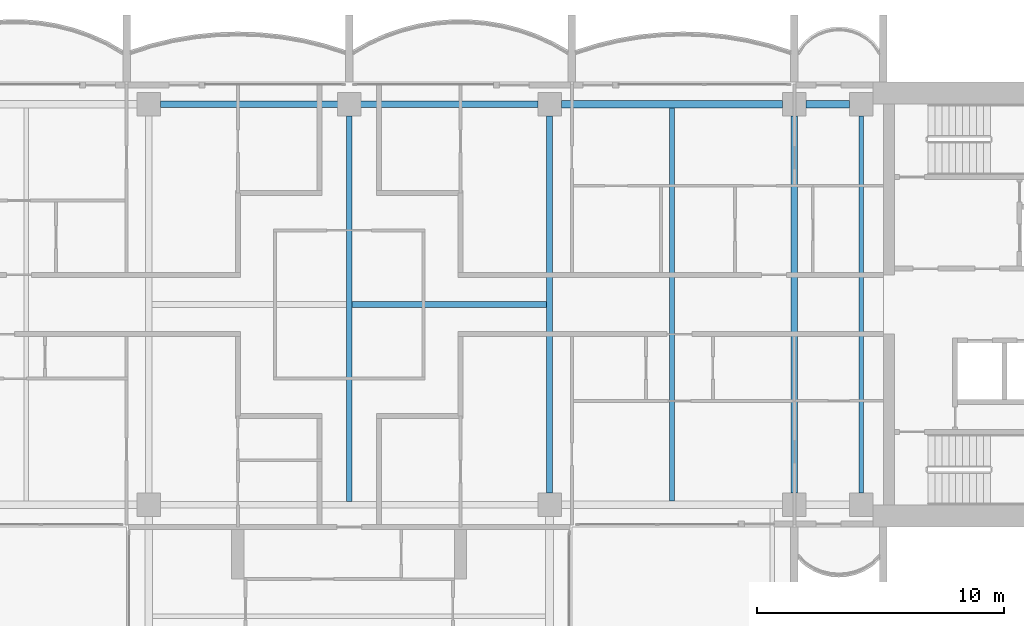
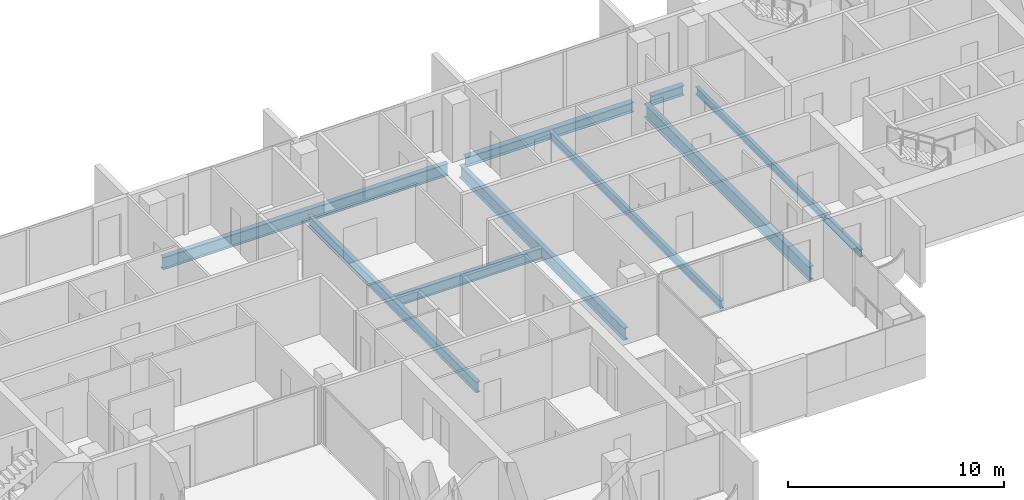
# One storey, part 4 of 17: 9 beams.
"""IFC4 building model written with IfcOpenShell, lengths in metres."""

import ifcopenshell
import ifcopenshell.guid

model = None  # the IFC model being written
_history = None  # IfcOwnerHistory: only IFC2X3 demands one
_inside = {}  # id of a spatial element -> (the spatial element, [elements in it])
_under = {}  # id of a project, library or spatial element -> (it, [spatial elements below it])
_declared = {}  # id of a project -> (the project, [libraries it declares])
_typed = {}  # id of a type object -> (the type object, [elements of that type])
_made_of = {}  # id of a material, layer set ... -> (it, [elements and type objects made of it])


def new_model(schema):
    """Start an empty IFC model of exactly this schema.

    Asked for "IFC4X3", IfcOpenShell would pick the latest addendum, in which some entities
    have other attributes; the version numbers below select the first issue.
    IFC2X3 requires an IfcOwnerHistory on every rooted entity: one is made here for all.
    """
    global model, _history
    if schema == "IFC4X3":
        model = ifcopenshell.file(schema_version=(4, 3, 0, 0))
    else:
        model = ifcopenshell.file(schema=schema)
    _inside.clear()
    _under.clear()
    _declared.clear()
    _typed.clear()
    _made_of.clear()
    _history = None
    if model.schema == "IFC2X3":
        org = make("IfcOrganization", Name="unknown")
        user = make(
            "IfcPersonAndOrganization",
            ThePerson=make("IfcPerson", FamilyName="unknown"),
            TheOrganization=org,
        )
        app = make(
            "IfcApplication",
            ApplicationDeveloper=org,
            Version="unknown",
            ApplicationFullName="unknown",
            ApplicationIdentifier="unknown",
        )
        _history = make(
            "IfcOwnerHistory",
            OwningUser=user,
            OwningApplication=app,
            ChangeAction="ADDED",
            CreationDate=0,
        )
    return model


def make(cls, **values):
    """One entity of the class cls with the attributes given. An attribute that is None is left unset."""
    return model.create_entity(
        cls, **{name: value for name, value in values.items() if value is not None}
    )


def rooted(cls, **values):
    """An entity with a GlobalId (a new one), such as an element, a storey or a relation."""
    return make(cls, GlobalId=ifcopenshell.guid.new(), OwnerHistory=_history, **values)


def si_unit(unit_type, name, prefix=None):
    """IfcSIUnit, for example si_unit("LENGTHUNIT", "METRE", prefix="MILLI")."""
    return make("IfcSIUnit", UnitType=unit_type, Prefix=prefix, Name=name)


def assignment(units):
    """IfcUnitAssignment: the units of a project."""
    return None if units is None else make("IfcUnitAssignment", Units=units)


def point(xyz):
    """IfcCartesianPoint."""
    return None if xyz is None else make("IfcCartesianPoint", Coordinates=xyz)


def direction(xyz):
    """IfcDirection."""
    return None if xyz is None else make("IfcDirection", DirectionRatios=xyz)


def frame(location, z_axis=None, x_axis=None):
    """IfcAxis2Placement3D, a coordinate frame: its origin and axes. An axis left out is left unset."""
    return make(
        "IfcAxis2Placement3D",
        Location=point(location),
        Axis=direction(z_axis),
        RefDirection=direction(x_axis),
    )


def frame_2d(location, x_axis=None):
    """IfcAxis2Placement2D, a coordinate frame in the plane: its origin and x axis."""
    return make(
        "IfcAxis2Placement2D", Location=point(location), RefDirection=direction(x_axis)
    )


def origin():
    """The frame at (0, 0, 0) with its axes left unset."""
    return frame((0.0, 0.0, 0.0))


def origin_2d():
    """The frame at (0, 0) in the plane with its x axis left unset."""
    return frame_2d((0.0, 0.0))


def place(relative_to, where):
    """IfcLocalPlacement: puts the frame where relative to a parent placement (None: the world)."""
    return make(
        "IfcLocalPlacement", PlacementRelTo=relative_to, RelativePlacement=where
    )


def context(
    kind, dimensions, precision=None, world=None, true_north=None, identifier=None
):
    """IfcGeometricRepresentationContext, for example the 3D "Model" context."""
    return make(
        "IfcGeometricRepresentationContext",
        ContextIdentifier=identifier,
        ContextType=kind,
        CoordinateSpaceDimension=dimensions,
        Precision=precision,
        WorldCoordinateSystem=world,
        TrueNorth=true_north,
    )


def subcontext(parent, identifier, kind, view, scale=None):
    """IfcGeometricRepresentationSubContext, for example "Body" below "Model"."""
    return make(
        "IfcGeometricRepresentationSubContext",
        ContextIdentifier=identifier,
        ContextType=kind,
        ParentContext=parent,
        TargetScale=scale,
        TargetView=view,
    )


def project(units=None, contexts=None):
    """IfcProject with its units and contexts."""
    return rooted(
        "IfcProject",
        Name="project",
        RepresentationContexts=contexts,
        UnitsInContext=assignment(units),
    )


def spatial(cls, under=None, at=None, **own):
    """A site, building, storey or space (cls), placed at a placement, below another one or the project."""
    s = rooted(cls, ObjectPlacement=at, **own)
    if under is not None:
        _under.setdefault(under.id(), (under, []))[1].append(s)
    return s


def profile(cls, at=None, kind="AREA", **sizes):
    """A parametric profile (cls). Its sizes go by their IFC names, for example OverallWidth=200.0."""
    return make(cls, ProfileType=kind, Position=at, **sizes)


def i_section(**sizes):
    """IfcIShapeProfileDef."""
    return profile("IfcIShapeProfileDef", **sizes)


def extrude(swept, where, along, depth):
    """IfcExtrudedAreaSolid: the profile swept, set in the frame where, extruded along a direction by depth."""
    return make(
        "IfcExtrudedAreaSolid",
        SweptArea=swept,
        Position=where,
        ExtrudedDirection=direction(along),
        Depth=depth,
    )


def shape(context_of_items, identifier, shape_type, items):
    """IfcShapeRepresentation: the items that make up one representation, for example the "Body"."""
    return make(
        "IfcShapeRepresentation",
        ContextOfItems=context_of_items,
        RepresentationIdentifier=identifier,
        RepresentationType=shape_type,
        Items=items,
    )


def material(Name=None, Category=None):
    """IfcMaterial."""
    return make("IfcMaterial", Name=Name, Category=Category)


def material_profile(
    of_material, cross_section, Name=None, Category=None, Priority=None
):
    """IfcMaterialProfile: a cross section and its material."""
    return make(
        "IfcMaterialProfile",
        Name=Name,
        Material=of_material,
        Profile=cross_section,
        Priority=Priority,
        Category=Category,
    )


def profile_set(profiles, Name=None, composite=None):
    """IfcMaterialProfileSet."""
    return make(
        "IfcMaterialProfileSet",
        Name=Name,
        MaterialProfiles=profiles,
        CompositeProfile=composite,
    )


def made_of(thing, what):
    """Note that an element or type object is made of a material, layer set ...; save() writes the relation."""
    if what is not None:
        _made_of.setdefault(what.id(), (what, []))[1].append(thing)
    return thing


def type_object(cls, material=None, **own):
    """A type object (cls), such as IfcWallType, which elements share."""
    return made_of(rooted(cls, **own), material)


def element(
    cls,
    number,
    at=None,
    inside=None,
    cuts=None,
    type_object=None,
    material=None,
    context=None,
    identifier="Body",
    shape_type=None,
    held_by="IfcProductDefinitionShape",
    body=None,
    shapes=None,
    **own,
):
    """One element of the class cls, such as IfcWall. Its Tag is "e" and its number.

    at: its placement. inside: the storey or other place that contains it. cuts: it is an
    opening in that element (IfcRelVoidsElement). A single representation is given by context,
    identifier, shape_type and body (its items); several are given by shapes. held_by: the class
    of the entity that holds the representations. save() writes the other relations.
    """
    e = rooted(cls, Tag="e%d" % number, ObjectPlacement=at, **own)
    if body is not None:
        shapes = [shape(context, identifier, shape_type, body)]
    if shapes is not None:
        e.Representation = make(held_by, Representations=shapes)
    if inside is not None:
        _inside.setdefault(inside.id(), (inside, []))[1].append(e)
    if cuts is not None:
        rooted(
            "IfcRelVoidsElement", RelatingBuildingElement=cuts, RelatedOpeningElement=e
        )
    if type_object is not None:
        _typed.setdefault(type_object.id(), (type_object, []))[1].append(e)
    return made_of(e, material)


def aggregate(whole, parts):
    """IfcRelAggregates: a whole, such as a stair, and the parts it consists of."""
    return rooted("IfcRelAggregates", RelatingObject=whole, RelatedObjects=parts)


def save(model, path):
    """Write the relations noted so far, then the file.

    IfcRelAggregates (storeys below a building ...), IfcRelContainedInSpatialStructure (elements
    in a storey), IfcRelDefinesByType, IfcRelAssociatesMaterial and IfcRelDeclares: one each for
    every whole, place, type object, material and project.
    """
    for whole, parts in _under.values():
        aggregate(whole, parts)
    for where, things in _inside.values():
        rooted(
            "IfcRelContainedInSpatialStructure",
            RelatedElements=things,
            RelatingStructure=where,
        )
    for kind, things in _typed.values():
        rooted("IfcRelDefinesByType", RelatedObjects=things, RelatingType=kind)
    for what, things in _made_of.values():
        rooted("IfcRelAssociatesMaterial", RelatedObjects=things, RelatingMaterial=what)
    for by, libraries in _declared.values():
        rooted("IfcRelDeclares", RelatingContext=by, RelatedDefinitions=libraries)
    model.write(path)


model = new_model("IFC4")

# Units and contexts
model_context = context("Model", 3, precision=1e-05, world=origin(), true_north=direction((0.0, 1.0)))
body_context = subcontext(model_context, "Body", "Model", "MODEL_VIEW")
ifc_project = project(units=[si_unit("LENGTHUNIT", "METRE"), si_unit("AREAUNIT", "SQUARE_METRE"), si_unit("VOLUMEUNIT", "CUBIC_METRE"), si_unit("PLANEANGLEUNIT", "RADIAN"), si_unit("MASSUNIT", "GRAM", prefix="KILO")], contexts=[model_context])

# Site, building, storey
site_placement = place(None, origin())
site = spatial("IfcSite", under=ifc_project, at=site_placement, CompositionType="ELEMENT")
building_placement = place(site_placement, origin())
building = spatial("IfcBuilding", under=site, at=building_placement, Name="Perihelion Cross Residences", CompositionType="ELEMENT")
storey_placement = place(building_placement, frame((0.0, 0.0, 205.10009765625)))
storey = spatial("IfcBuildingStorey", under=building, at=storey_placement, Name="L51", CompositionType="ELEMENT", Elevation=205.10009765625)

# Beams
ifc_material_1 = material(Name="Steel S355", Category="steel")
ifc_material_profile_1 = material_profile(ifc_material_1, i_section(OverallWidth=0.180908203125, OverallDepth=0.4169921875, WebThickness=0.010986328125, FlangeThickness=0.018310546875, at=origin_2d()), Name="W410x85")
ifc_profile_set_1 = profile_set([ifc_material_profile_1], Name="Steel S355")
beam_type_1 = type_object("IfcBeamType", Name="Core edge beam W410x85", PredefinedType="BEAM", material=ifc_profile_set_1)
beam_1_placement = place(storey_placement, frame((20.699951171875, -7.625, -0.45849609375), z_axis=(0.0, 1.0, 0.0), x_axis=(-1.0, 0.0, 0.0)))
element("IfcBeam", 1, at=beam_1_placement, inside=storey, type_object=beam_type_1, Name="Core edge beam TB6 L51 no. 2", PredefinedType="BEAM", context=body_context, shape_type="SweptSolid", body=[
    extrude(i_section(OverallWidth=0.180908203125, OverallDepth=0.4169921875, WebThickness=0.010986328125, FlangeThickness=0.018310546875, at=origin_2d()), origin(), (0.0, 0.0, 1.0), 15.25),
])
ifc_material_2 = material(Name="Steel S355", Category="steel")
ifc_material_profile_2 = material_profile(ifc_material_2, i_section(OverallWidth=0.31201171875, OverallDepth=0.5439453125, WebThickness=0.0126953125, FlangeThickness=0.020263671875, at=origin_2d()), Name="W530x150")
ifc_profile_set_2 = profile_set([ifc_material_profile_2], Name="Steel S355")
beam_type_2 = type_object("IfcBeamType", Name="Edge beam W530x150", PredefinedType="SPANDREL", material=ifc_profile_set_2)
beam_2_placement = place(storey_placement, frame((20.22509765625, 8.10009765625, -0.522216796875), z_axis=(-1.0, 0.0, 0.0), x_axis=(0.0, -1.0, 0.0)))
element("IfcBeam", 2, at=beam_2_placement, inside=storey, type_object=beam_type_2, Name="Edge beam SB4 L51 no. 10", PredefinedType="SPANDREL", context=body_context, shape_type="SweptSolid", body=[
    extrude(i_section(OverallWidth=0.31201171875, OverallDepth=0.5439453125, WebThickness=0.0126953125, FlangeThickness=0.020263671875, at=origin_2d()), origin(), (0.0, 0.0, 1.0), 1.75),
])
beam_3_placement = place(storey_placement, frame((17.52490234375, 8.10009765625, -0.522216796875), z_axis=(-1.0, 0.0, 0.0), x_axis=(0.0, -1.0, 0.0)))
element("IfcBeam", 3, at=beam_3_placement, inside=storey, type_object=beam_type_2, Name="Edge beam SB4 L51 no. 9", PredefinedType="SPANDREL", context=body_context, shape_type="SweptSolid", body=[
    extrude(i_section(OverallWidth=0.31201171875, OverallDepth=0.5439453125, WebThickness=0.0126953125, FlangeThickness=0.020263671875, at=origin_2d()), origin(), (0.0, 0.0, 1.0), 8.949951171875),
])
ifc_material_3 = material(Name="Steel S355", Category="steel")
ifc_material_profile_3 = material_profile(ifc_material_3, i_section(OverallWidth=0.26708984375, OverallDepth=0.77001953125, WebThickness=0.015625, FlangeThickness=0.025390625, at=origin_2d()), Name="W760x196")
ifc_profile_set_3 = profile_set([ifc_material_profile_3], Name="Steel S355")
beam_type_3 = type_object("IfcBeamType", Name="Floor girder W760x196", PredefinedType="BEAM", material=ifc_profile_set_3)
beam_4_placement = place(storey_placement, frame((18.0, -7.625, -0.635009765625), z_axis=(0.0, 1.0, 0.0), x_axis=(-1.0, 0.0, 0.0)))
element("IfcBeam", 4, at=beam_4_placement, inside=storey, type_object=beam_type_3, Name="Girder G4 L51 no. 2", PredefinedType="BEAM", context=body_context, shape_type="SweptSolid", body=[
    extrude(i_section(OverallWidth=0.26708984375, OverallDepth=0.77001953125, WebThickness=0.015625, FlangeThickness=0.025390625, at=origin_2d()), origin(), (0.0, 0.0, 1.0), 15.25),
])
ifc_material_4 = material(Name="Steel S355", Category="steel")
ifc_material_profile_4 = material_profile(ifc_material_4, i_section(OverallWidth=0.19091796875, OverallDepth=0.45703125, WebThickness=0.009033203125, FlangeThickness=0.014404296875, at=origin_2d()), Name="W460x74")
ifc_profile_set_4 = profile_set([ifc_material_profile_4], Name="Steel S355")
beam_type_4 = type_object("IfcBeamType", Name="Floor joist W460x74", PredefinedType="JOIST", material=ifc_profile_set_4)
beam_5_placement = place(storey_placement, frame((13.050048828125, -7.944091796875, -0.478515625), z_axis=(0.0, 1.0, 0.0), x_axis=(-1.0, 0.0, 0.0)))
element("IfcBeam", 5, at=beam_5_placement, inside=storey, type_object=beam_type_4, Name="Joist J5 L51 no. 2", PredefinedType="JOIST", context=body_context, shape_type="SweptSolid", body=[
    extrude(i_section(OverallWidth=0.19091796875, OverallDepth=0.45703125, WebThickness=0.009033203125, FlangeThickness=0.014404296875, at=origin_2d()), origin(), (0.0, 0.0, 1.0), 15.88818359375),
])
ifc_material_5 = material(Name="Steel S355", Category="steel")
ifc_material_profile_5 = material_profile(ifc_material_5, i_section(OverallWidth=0.22900390625, OverallDepth=0.612060546875, WebThickness=0.011962890625, FlangeThickness=0.01953125, at=origin_2d()), Name="W610x125")
ifc_profile_set_5 = profile_set([ifc_material_profile_5], Name="Steel S355")
beam_type_5 = type_object("IfcBeamType", Name="Hub cross beam W610x125", PredefinedType="BEAM", material=ifc_profile_set_5)
beam_6_placement = place(storey_placement, frame((0.0, -7.971435546875, -0.55615234375), z_axis=(0.0, 1.0, 0.0), x_axis=(-1.0, 0.0, 0.0)))
element("IfcBeam", 6, at=beam_6_placement, inside=storey, type_object=beam_type_5, Name="Hub cross beam XB4 L51 no. 1", PredefinedType="BEAM", context=body_context, shape_type="SweptSolid", body=[
    extrude(i_section(OverallWidth=0.22900390625, OverallDepth=0.612060546875, WebThickness=0.011962890625, FlangeThickness=0.01953125, at=origin_2d()), origin(), (0.0, 0.0, 1.0), 15.596435546875),
])
beam_7_placement = place(storey_placement, frame((0.114501953125, 0.0, -0.55615234375), z_axis=(1.0, 0.0, 0.0), x_axis=(0.0, 1.0, 0.0)))
element("IfcBeam", 7, at=beam_7_placement, inside=storey, type_object=beam_type_5, Name="Hub cross beam XB4 L51 2 no. 1", PredefinedType="BEAM", context=body_context, shape_type="SweptSolid", body=[
    extrude(i_section(OverallWidth=0.22900390625, OverallDepth=0.612060546875, WebThickness=0.011962890625, FlangeThickness=0.01953125, at=origin_2d()), origin(), (0.0, 0.0, 1.0), 7.85693359375),
])
ifc_material_6 = material(Name="Steel S355", Category="steel")
ifc_material_profile_6 = material_profile(ifc_material_6, i_section(OverallWidth=0.257080078125, OverallDepth=0.693115234375, WebThickness=0.014404296875, FlangeThickness=0.023681640625, at=origin_2d()), Name="W690x170")
ifc_profile_set_6 = profile_set([ifc_material_profile_6], Name="Steel S355")
beam_type_6 = type_object("IfcBeamType", Name="Hub ring girder W690x170", PredefinedType="BEAM", material=ifc_profile_set_6)
for number, where, z_axis, x_axis, name in (
    (8, (8.10009765625, -7.625, -0.5966796875), (0.0, 1.0, 0.0), (-1.0, 0.0, 0.0), "Hub ring girder RG4 L51 no. 3"),
    (9, (7.625, 8.10009765625, -0.5966796875), (-1.0, 0.0, 0.0), (0.0, -1.0, 0.0), "Hub ring girder RG4 L51 no. 4"),
):
    element("IfcBeam", number, at=place(storey_placement, frame(where, z_axis=z_axis, x_axis=x_axis)), inside=storey, type_object=beam_type_6, Name=name, PredefinedType="BEAM", context=body_context, shape_type="SweptSolid", body=[
        extrude(i_section(OverallWidth=0.257080078125, OverallDepth=0.693115234375, WebThickness=0.014404296875, FlangeThickness=0.023681640625, at=origin_2d()), origin(), (0.0, 0.0, 1.0), 15.25),
    ])

save(model, "model.ifc")
